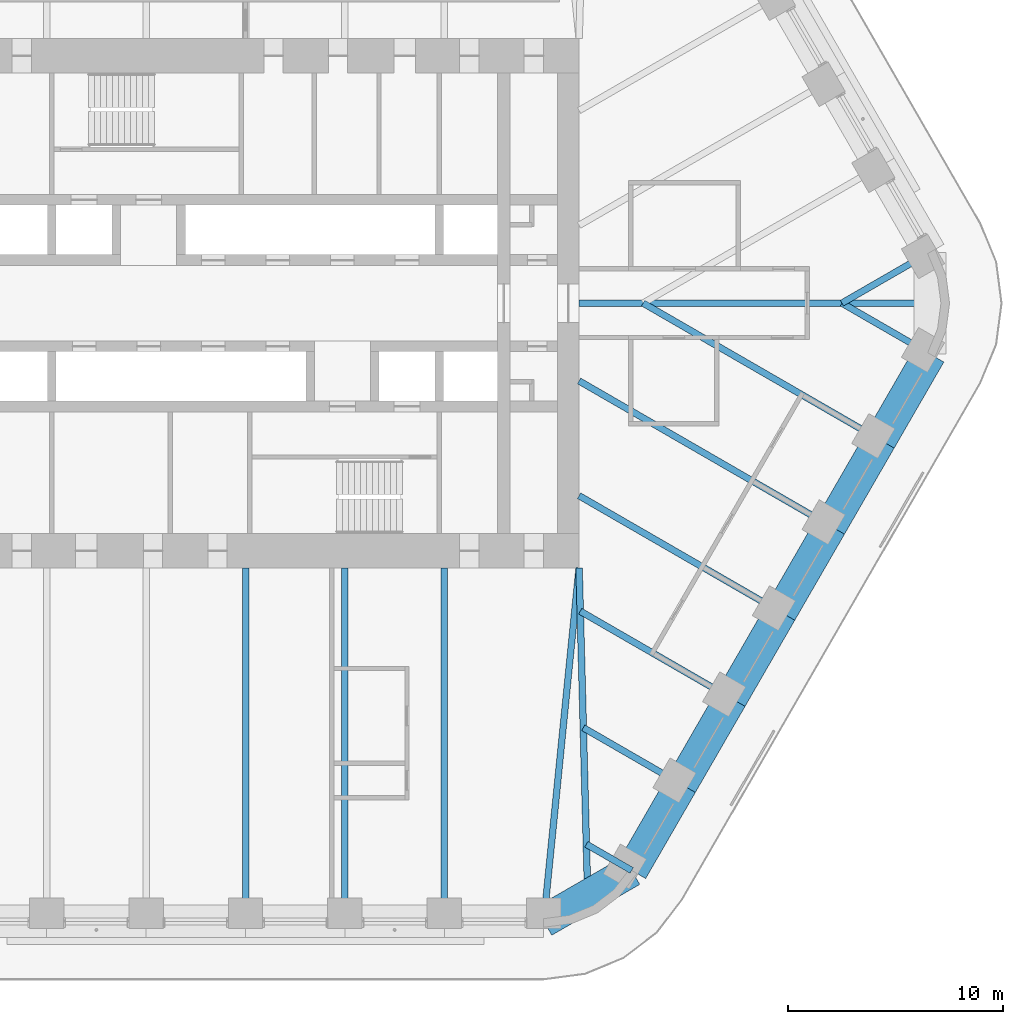
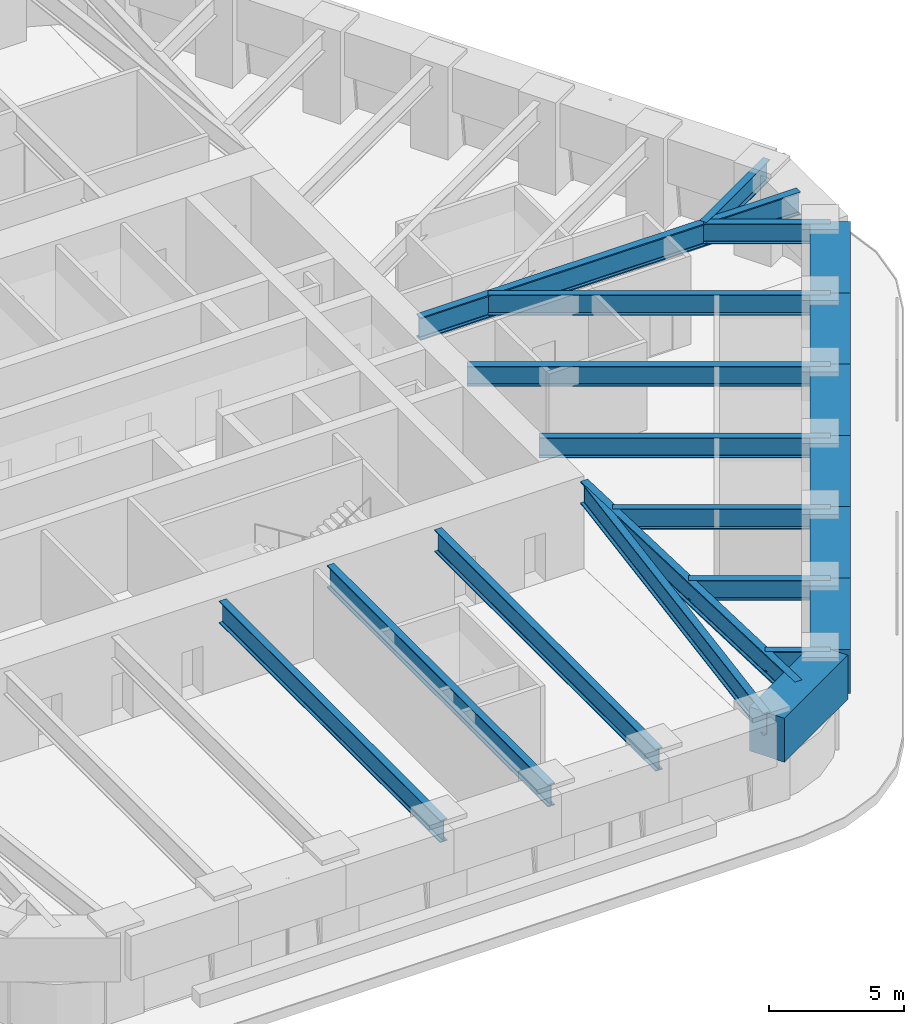
# One storey, part 5 of 20: 21 beams.
"""IFC4 building model written with IfcOpenShell, lengths in metres."""

from ifc_helpers import new_model, si_unit, direction, frame, origin, origin_2d, place, context, subcontext, project, spatial, rectangle, i_section, extrude, material, material_profile, profile_set, type_object, element, save


model = new_model("IFC4")

# Units and contexts
model_context = context("Model", 3, precision=1e-05, world=origin(), true_north=direction((0.0, 1.0)))
body_context = subcontext(model_context, "Body", "Model", "MODEL_VIEW")
ifc_project = project(units=[si_unit("LENGTHUNIT", "METRE"), si_unit("AREAUNIT", "SQUARE_METRE"), si_unit("VOLUMEUNIT", "CUBIC_METRE"), si_unit("PLANEANGLEUNIT", "RADIAN"), si_unit("MASSUNIT", "GRAM", prefix="KILO")], contexts=[model_context])

# Site, building, storey
site_placement = place(None, origin())
site = spatial("IfcSite", under=ifc_project, at=site_placement, CompositionType="ELEMENT")
building_placement = place(site_placement, origin())
building = spatial("IfcBuilding", under=site, at=building_placement, Name="Tarfa Lantern Tower", CompositionType="ELEMENT")
storey_placement = place(building_placement, frame((0.0, 0.0, 223.89990234375)))
storey = spatial("IfcBuildingStorey", under=building, at=storey_placement, Name="L50", CompositionType="ELEMENT", Elevation=223.89990234375)

# Beams
ifc_material_1 = material(Name="Concrete C80/95", Category="concrete")
ifc_material_profile_1 = material_profile(ifc_material_1, rectangle(XDim=1.5, YDim=2.0, at=origin_2d()), Name="RC 1500x2000")
ifc_profile_set_1 = profile_set([ifc_material_profile_1], Name="Concrete C80/95")
beam_type_1 = type_object("IfcBeamType", Name="RB3 RC 1500x2000", PredefinedType="BEAM", material=ifc_profile_set_1)
beam_1_placement = place(storey_placement, frame((13.8564453125, -28.719970703125, 3.0), z_axis=(0.866038294681, 0.499977671647, 0.0), x_axis=(-0.499977671647, 0.866038294681, 0.0)))
element("IfcBeam", 1, at=beam_1_placement, inside=storey, type_object=beam_type_1, Name="Edge beam S6", PredefinedType="BEAM", context=body_context, shape_type="SweptSolid", body=[
    extrude(rectangle(XDim=1.5, YDim=2.0, at=origin_2d()), origin(), (0.0, 0.0, 1.0), 4.719970703125),
])
for number, where, z_axis, x_axis, name in (
    (2, (17.944091796875, -26.360107421875, 3.0), (0.499987836815, 0.866032426089, 0.0), (-0.866032426089, 0.499987836815, 0.0), "Edge beam SE0"),
    (3, (20.25341796875, -22.360107421875, 3.0), (0.499987836815, 0.866032426089, 0.0), (-0.866032426089, 0.499987836815, 0.0), "Edge beam SE1"),
):
    element("IfcBeam", number, at=place(storey_placement, frame(where, z_axis=z_axis, x_axis=x_axis)), inside=storey, type_object=beam_type_1, Name=name, PredefinedType="BEAM", context=body_context, shape_type="SweptSolid", body=[
        extrude(rectangle(XDim=1.5, YDim=2.0, at=origin_2d()), origin(), (0.0, 0.0, 1.0), 4.61865234375),
    ])
beam_2_placement = place(storey_placement, frame((22.562744140625, -18.360107421875, 3.0), z_axis=(0.500027479704, 0.866009537788, 0.0), x_axis=(-0.866009537788, 0.500027479704, 0.0)))
element("IfcBeam", 4, at=beam_2_placement, inside=storey, type_object=beam_type_1, Name="Edge beam SE2", PredefinedType="BEAM", context=body_context, shape_type="SweptSolid", body=[
    extrude(rectangle(XDim=1.5, YDim=2.0, at=origin_2d()), origin(), (0.0, 0.0, 1.0), 4.618896484375),
])
for number, where, z_axis, x_axis, name in (
    (5, (24.872314453125, -14.360107421875, 3.0), (0.499987836815, 0.866032426089, 0.0), (-0.866032426089, 0.499987836815, 0.0), "Edge beam SE3"),
    (6, (27.181640625, -10.360107421875, 3.0), (0.499987836815, 0.866032426089, 0.0), (-0.866032426089, 0.499987836815, 0.0), "Edge beam SE4"),
):
    element("IfcBeam", number, at=place(storey_placement, frame(where, z_axis=z_axis, x_axis=x_axis)), inside=storey, type_object=beam_type_1, Name=name, PredefinedType="BEAM", context=body_context, shape_type="SweptSolid", body=[
        extrude(rectangle(XDim=1.5, YDim=2.0, at=origin_2d()), origin(), (0.0, 0.0, 1.0), 4.61865234375),
    ])
beam_3_placement = place(storey_placement, frame((29.490966796875, -6.360107421875, 3.0), z_axis=(0.500027479704, 0.866009537788, 0.0), x_axis=(-0.866009537788, 0.500027479704, 0.0)))
element("IfcBeam", 7, at=beam_3_placement, inside=storey, type_object=beam_type_1, Name="Edge beam SE5", PredefinedType="BEAM", context=body_context, shape_type="SweptSolid", body=[
    extrude(rectangle(XDim=1.5, YDim=2.0, at=origin_2d()), origin(), (0.0, 0.0, 1.0), 4.618896484375),
])
ifc_material_2 = material(Name="Steel S460M", Category="steel")
ifc_material_profile_2 = material_profile(ifc_material_2, i_section(OverallWidth=0.302001953125, OverallDepth=1.008056640625, WebThickness=0.02099609375, FlangeThickness=0.0400390625, FilletRadius=0.030029296875, at=origin_2d()), Name="UB1016x305x349")
ifc_profile_set_2 = profile_set([ifc_material_profile_2], Name="Steel S460M")
beam_type_2 = type_object("IfcBeamType", Name="UB1016x305x349", PredefinedType="BEAM", material=ifc_profile_set_2)
for number, where, z_axis, x_axis, name in (
    (8, (0.0, -28.719970703125, 3.49609375), (0.0, 1.0, 0.0), (-1.0, 0.0, 0.0), "Floor beam S3"),
    (9, (4.618896484375, -28.719970703125, 3.49609375), (0.0, 1.0, 0.0), (-1.0, 0.0, 0.0), "Floor beam S4"),
    (10, (9.237548828125, -28.719970703125, 3.49609375), (0.0, 1.0, 0.0), (-1.0, 0.0, 0.0), "Floor beam S5"),
):
    element("IfcBeam", number, at=place(storey_placement, frame(where, z_axis=z_axis, x_axis=x_axis)), inside=storey, type_object=beam_type_2, Name=name, PredefinedType="BEAM", context=body_context, shape_type="SweptSolid", body=[
        extrude(i_section(OverallWidth=0.302001953125, OverallDepth=1.008056640625, WebThickness=0.02099609375, FlangeThickness=0.0400390625, FilletRadius=0.030029296875, at=origin_2d()), origin(), (0.0, 0.0, 1.0), 16.419921875),
    ])
beam_4_placement = place(storey_placement, frame((13.8564453125, -28.719970703125, 3.49609375), z_axis=(0.099597466746, 0.995027810977, 0.0), x_axis=(-0.995027810977, 0.099597466746, 0.0)))
element("IfcBeam", 11, at=beam_4_placement, inside=storey, type_object=beam_type_2, Name="Floor beam S6", PredefinedType="BEAM", context=body_context, shape_type="SweptSolid", body=[
    extrude(i_section(OverallWidth=0.302001953125, OverallDepth=1.008056640625, WebThickness=0.02099609375, FlangeThickness=0.0400390625, FilletRadius=0.030029296875, at=origin_2d()), origin(), (0.0, 0.0, 1.0), 16.501953125),
])
ifc_material_profile_3 = material_profile(ifc_material_2, i_section(OverallWidth=0.30859375, OverallDepth=1.036376953125, WebThickness=0.030029296875, FlangeThickness=0.05419921875, FilletRadius=0.030029296875, at=origin_2d()), Name="UB1016x305x487")
ifc_profile_set_3 = profile_set([ifc_material_profile_3], Name="Steel S460M")
beam_type_3 = type_object("IfcBeamType", Name="UB1016x305x487", PredefinedType="BEAM", material=ifc_profile_set_3)
beam_5_placement = place(storey_placement, frame((15.5, 0.0, 3.48193359375), z_axis=(1.0, 0.0, 0.0), x_axis=(0.0, 1.0, 0.0)))
element("IfcBeam", 12, at=beam_5_placement, inside=storey, type_object=beam_type_3, Name="Hip girder E", PredefinedType="BEAM", context=body_context, shape_type="SweptSolid", body=[
    extrude(i_section(OverallWidth=0.30859375, OverallDepth=1.036376953125, WebThickness=0.030029296875, FlangeThickness=0.05419921875, FilletRadius=0.030029296875, at=origin_2d()), origin(), (0.0, 0.0, 1.0), 16.300537109375),
])
beam_6_placement = place(storey_placement, frame((15.5, -12.300048828125, 3.48193359375), z_axis=(0.026247301989, -0.999655480222, 0.0), x_axis=(0.999655480222, 0.026247301989, 0.0)))
element("IfcBeam", 13, at=beam_6_placement, inside=storey, type_object=beam_type_3, Name="Hip girder SE", PredefinedType="BEAM", context=body_context, shape_type="SweptSolid", body=[
    extrude(i_section(OverallWidth=0.30859375, OverallDepth=1.036376953125, WebThickness=0.030029296875, FlangeThickness=0.05419921875, FilletRadius=0.030029296875, at=origin_2d()), origin(), (0.0, 0.0, 1.0), 15.245361328125),
])
ifc_material_profile_4 = material_profile(ifc_material_2, i_section(OverallWidth=0.305419921875, OverallDepth=0.91845703125, WebThickness=0.017333984375, FlangeThickness=0.02783203125, FilletRadius=0.01904296875, at=origin_2d()), Name="UB914x305x253")
ifc_profile_set_4 = profile_set([ifc_material_profile_4], Name="Steel S460M")
beam_type_4 = type_object("IfcBeamType", Name="UB914x305x253", PredefinedType="BEAM", material=ifc_profile_set_4)
beam_7_placement = place(storey_placement, frame((31.800537109375, 2.360107421875, 3.541015625), z_axis=(-0.866015897305, -0.500016465344, 0.0), x_axis=(0.500016465344, -0.866015897305, 0.0)))
element("IfcBeam", 14, at=beam_7_placement, inside=storey, type_object=beam_type_4, Name="Floor beam NE0", PredefinedType="BEAM", context=body_context, shape_type="SweptSolid", body=[
    extrude(i_section(OverallWidth=0.305419921875, OverallDepth=0.91845703125, WebThickness=0.017333984375, FlangeThickness=0.02783203125, FilletRadius=0.01904296875, at=origin_2d()), origin(), (0.0, 0.0, 1.0), 4.719970703125),
])
beam_8_placement = place(storey_placement, frame((17.944091796875, -26.360107421875, 3.541015625), z_axis=(-0.865980009423, 0.5000786171, 0.0), x_axis=(-0.5000786171, -0.865980009423, 0.0)))
element("IfcBeam", 15, at=beam_8_placement, inside=storey, type_object=beam_type_4, Name="Floor beam SE0", PredefinedType="BEAM", context=body_context, shape_type="SweptSolid", body=[
    extrude(i_section(OverallWidth=0.305419921875, OverallDepth=0.91845703125, WebThickness=0.017333984375, FlangeThickness=0.02783203125, FilletRadius=0.01904296875, at=origin_2d()), origin(), (0.0, 0.0, 1.0), 2.4326171875),
])
beam_9_placement = place(storey_placement, frame((20.25341796875, -22.360107421875, 3.541015625), z_axis=(-0.86601951648, 0.500010196972, 0.0), x_axis=(-0.500010196972, -0.86601951648, 0.0)))
element("IfcBeam", 16, at=beam_9_placement, inside=storey, type_object=beam_type_4, Name="Floor beam SE1", PredefinedType="BEAM", context=body_context, shape_type="SweptSolid", body=[
    extrude(i_section(OverallWidth=0.305419921875, OverallDepth=0.91845703125, WebThickness=0.017333984375, FlangeThickness=0.02783203125, FilletRadius=0.01904296875, at=origin_2d()), origin(), (0.0, 0.0, 1.0), 5.263671875),
])
beam_10_placement = place(storey_placement, frame((22.562744140625, -18.360107421875, 3.541015625), z_axis=(-0.866010787764, 0.500025314835, 0.0), x_axis=(-0.500025314835, -0.866010787764, 0.0)))
element("IfcBeam", 17, at=beam_10_placement, inside=storey, type_object=beam_type_4, Name="Floor beam SE2", PredefinedType="BEAM", context=body_context, shape_type="SweptSolid", body=[
    extrude(i_section(OverallWidth=0.305419921875, OverallDepth=0.91845703125, WebThickness=0.017333984375, FlangeThickness=0.02783203125, FilletRadius=0.01904296875, at=origin_2d()), origin(), (0.0, 0.0, 1.0), 8.09423828125),
])
beam_11_placement = place(storey_placement, frame((24.872314453125, -14.360107421875, 3.541015625), z_axis=(-0.8660244219, 0.500001700669, 0.0), x_axis=(-0.500001700669, -0.8660244219, 0.0)))
element("IfcBeam", 18, at=beam_11_placement, inside=storey, type_object=beam_type_4, Name="Floor beam SE3", PredefinedType="BEAM", context=body_context, shape_type="SweptSolid", body=[
    extrude(i_section(OverallWidth=0.305419921875, OverallDepth=0.91845703125, WebThickness=0.017333984375, FlangeThickness=0.02783203125, FilletRadius=0.01904296875, at=origin_2d()), origin(), (0.0, 0.0, 1.0), 10.822265625),
])
beam_12_placement = place(storey_placement, frame((27.181640625, -10.360107421875, 3.541015625), z_axis=(-0.866018002818, 0.500012818631, 0.0), x_axis=(-0.500012818631, -0.866018002818, 0.0)))
element("IfcBeam", 19, at=beam_12_placement, inside=storey, type_object=beam_type_4, Name="Floor beam SE4", PredefinedType="BEAM", context=body_context, shape_type="SweptSolid", body=[
    extrude(i_section(OverallWidth=0.305419921875, OverallDepth=0.91845703125, WebThickness=0.017333984375, FlangeThickness=0.02783203125, FilletRadius=0.01904296875, at=origin_2d()), origin(), (0.0, 0.0, 1.0), 13.489013671875),
])
beam_13_placement = place(storey_placement, frame((29.490966796875, -6.360107421875, 3.541015625), z_axis=(-0.866022258038, 0.500005448553, 0.0), x_axis=(-0.500005448553, -0.866022258038, 0.0)))
element("IfcBeam", 20, at=beam_13_placement, inside=storey, type_object=beam_type_4, Name="Floor beam SE5", PredefinedType="BEAM", context=body_context, shape_type="SweptSolid", body=[
    extrude(i_section(OverallWidth=0.305419921875, OverallDepth=0.91845703125, WebThickness=0.017333984375, FlangeThickness=0.02783203125, FilletRadius=0.01904296875, at=origin_2d()), origin(), (0.0, 0.0, 1.0), 12.719970703125),
])
beam_14_placement = place(storey_placement, frame((31.800537109375, -2.360107421875, 3.541015625), z_axis=(-0.866015897305, 0.500016465344, 0.0), x_axis=(-0.500016465344, -0.866015897305, 0.0)))
element("IfcBeam", 21, at=beam_14_placement, inside=storey, type_object=beam_type_4, Name="Floor beam SE6", PredefinedType="BEAM", context=body_context, shape_type="SweptSolid", body=[
    extrude(i_section(OverallWidth=0.305419921875, OverallDepth=0.91845703125, WebThickness=0.017333984375, FlangeThickness=0.02783203125, FilletRadius=0.01904296875, at=origin_2d()), origin(), (0.0, 0.0, 1.0), 4.719970703125),
])

save(model, "model.ifc")
